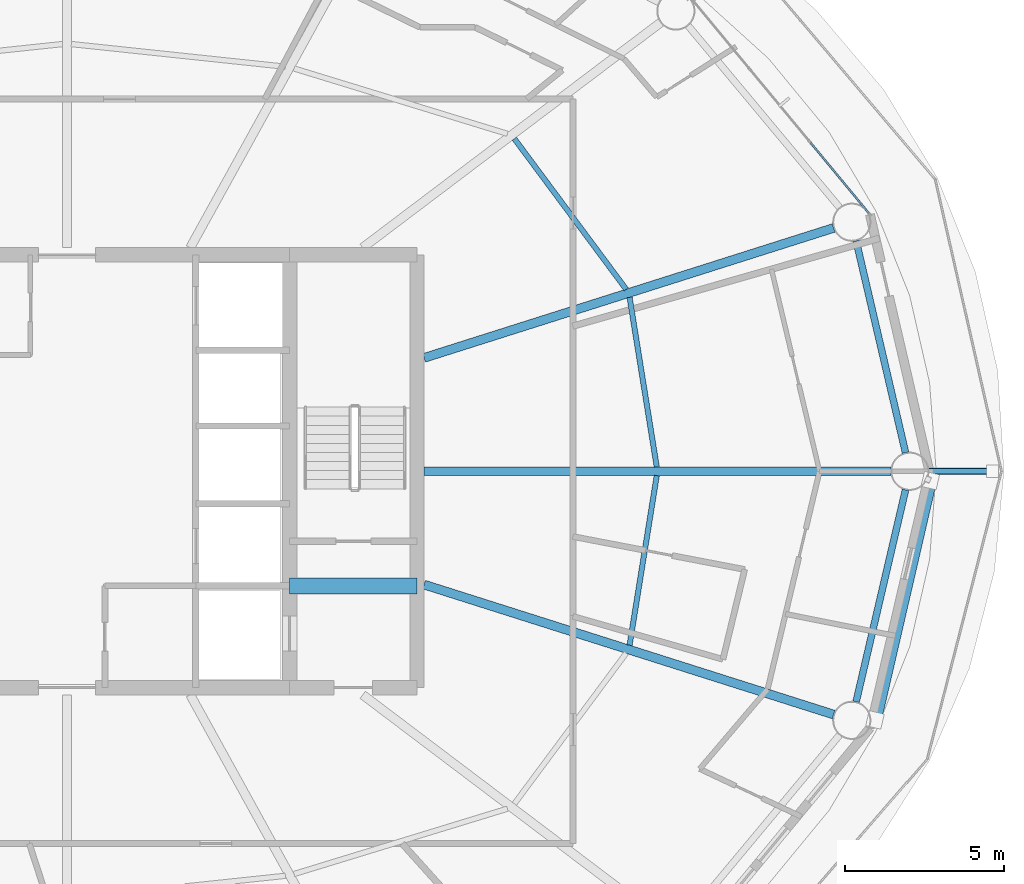
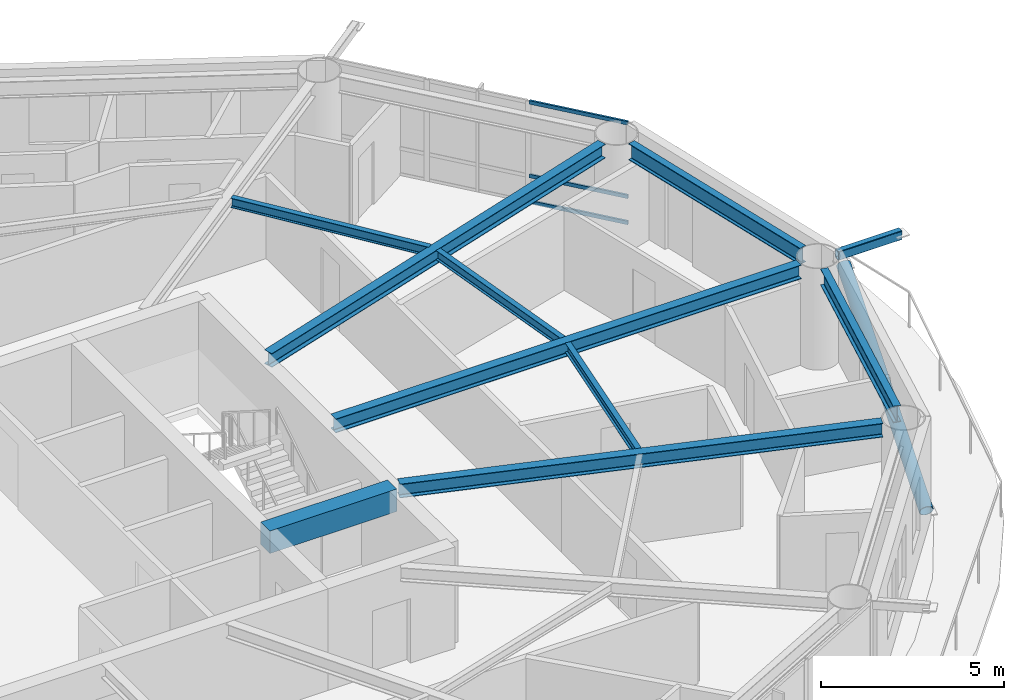
# One storey, part 8 of 28: 9 beams, 5 members, 1 element without a shape of its own.
"""IFC4 building model written with IfcOpenShell, lengths in metres."""

from ifc_helpers import new_model, si_unit, direction, frame, origin, origin_2d, place, context, subcontext, project, spatial, rectangle, hollow_rectangle, hollow_circle, i_section, extrude, material, layer, layer_set, material_profile, profile_set, type_object, element, aggregate, save


model = new_model("IFC4")

# Units and contexts
model_context = context("Model", 3, precision=1e-05, world=origin(), true_north=direction((0.0, 1.0)))
body_context = subcontext(model_context, "Body", "Model", "MODEL_VIEW")
ifc_project = project(units=[si_unit("LENGTHUNIT", "METRE"), si_unit("AREAUNIT", "SQUARE_METRE"), si_unit("VOLUMEUNIT", "CUBIC_METRE"), si_unit("PLANEANGLEUNIT", "RADIAN"), si_unit("MASSUNIT", "GRAM", prefix="KILO")], contexts=[model_context])

# Site, building, storey
site_placement = place(None, origin())
site = spatial("IfcSite", under=ifc_project, at=site_placement, CompositionType="ELEMENT")
building_placement = place(site_placement, origin())
building = spatial("IfcBuilding", under=site, at=building_placement, Name="Sarneth Arch Tower", CompositionType="ELEMENT")
storey_placement = place(building_placement, frame((0.0, 0.0, 183.0)))
storey = spatial("IfcBuildingStorey", under=building, at=storey_placement, Name="L46", CompositionType="ELEMENT", Elevation=183.0)

# Beams
ifc_material_1 = material(Name="Steel S355", Category="steel")
ifc_material_profile_1 = material_profile(ifc_material_1, i_section(OverallWidth=0.1669921875, OverallDepth=0.31689453125, WebThickness=0.007568359375, FlangeThickness=0.01318359375, FilletRadius=0.012939453125, at=origin_2d()), Name="W310x52")
ifc_profile_set_1 = profile_set([ifc_material_profile_1], Name="Steel S355")
beam_type_1 = type_object("IfcBeamType", Name="BM-JOIST-310B", PredefinedType="JOIST", material=ifc_profile_set_1)
beam_1_placement = place(storey_placement, frame((66.533935546875, 42.13818359375, 3.221435546875), z_axis=(-0.158348792374, 0.987383238643, 0.0), x_axis=(-0.987383238643, -0.158348792374, 0.0)))
element("IfcBeam", 1, at=beam_1_placement, inside=storey, type_object=beam_type_1, Name="L46 Secondary floor joist 01", PredefinedType="JOIST", context=body_context, shape_type="SweptSolid", body=[
    extrude(i_section(OverallWidth=0.1669921875, OverallDepth=0.31689453125, WebThickness=0.007568359375, FlangeThickness=0.01318359375, FilletRadius=0.012939453125, at=origin_2d()), origin(), (0.0, 0.0, 1.0), 5.394775390625),
])
beam_2_placement = place(storey_placement, frame((65.57421875, 47.715576171875, 3.221435546875), z_axis=(-0.596190586674, 0.802842938788, 0.0), x_axis=(-0.802842938788, -0.596190586674, 0.0)))
element("IfcBeam", 2, at=beam_2_placement, inside=storey, type_object=beam_type_1, Name="L46 Secondary floor joist 02", PredefinedType="JOIST", context=body_context, shape_type="SweptSolid", body=[
    extrude(i_section(OverallWidth=0.1669921875, OverallDepth=0.31689453125, WebThickness=0.007568359375, FlangeThickness=0.01318359375, FilletRadius=0.012939453125, at=origin_2d()), origin(), (0.0, 0.0, 1.0), 5.896484375),
])
beam_3_placement = place(storey_placement, frame((65.6796875, 36.53515625, 3.221435546875), z_axis=(0.158348792374, 0.987383238643, 0.0), x_axis=(-0.987383238643, 0.158348792374, 0.0)))
element("IfcBeam", 3, at=beam_3_placement, inside=storey, type_object=beam_type_1, Name="L46 Secondary floor joist 16", PredefinedType="JOIST", context=body_context, shape_type="SweptSolid", body=[
    extrude(i_section(OverallWidth=0.1669921875, OverallDepth=0.31689453125, WebThickness=0.007568359375, FlangeThickness=0.01318359375, FilletRadius=0.012939453125, at=origin_2d()), origin(), (0.0, 0.0, 1.0), 5.394775390625),
])
ifc_material_2 = material(Name="Concrete C50/60", Category="concrete")
ifc_material_profile_2 = material_profile(ifc_material_2, rectangle(XDim=0.5, YDim=0.75, at=origin_2d()), Name="RC-500x750")
ifc_profile_set_2 = profile_set([ifc_material_profile_2], Name="Concrete C50/60")
beam_type_2 = type_object("IfcBeamType", Name="BM-LINTEL-RC", PredefinedType="LINTEL", material=ifc_profile_set_2)
beam_4_placement = place(storey_placement, frame((55.0, 38.39990234375, 3.0048828125), z_axis=(1.0, 0.0, 0.0), x_axis=(0.0, 1.0, 0.0)))
element("IfcBeam", 4, at=beam_4_placement, inside=storey, type_object=beam_type_2, Name="L46 Core coupling lintel E", PredefinedType="LINTEL", context=body_context, shape_type="SweptSolid", body=[
    extrude(rectangle(XDim=0.5, YDim=0.75, at=origin_2d()), origin(), (0.0, 0.0, 1.0), 4.0),
])
ifc_material_3 = material(Name="Steel S355", Category="steel")
ifc_material_profile_3 = material_profile(ifc_material_3, i_section(OverallWidth=0.280029296875, OverallDepth=0.462890625, WebThickness=0.0107421875, FlangeThickness=0.017333984375, FilletRadius=0.01806640625, at=origin_2d()), Name="W460x113")
ifc_profile_set_3 = profile_set([ifc_material_profile_3], Name="Steel S355")
beam_type_3 = type_object("IfcBeamType", Name="BM-RAD-460A", PredefinedType="BEAM", material=ifc_profile_set_3)
beam_5_placement = place(storey_placement, frame((59.22509765625, 42.0, 3.1484375), z_axis=(1.0, 0.0, 0.0), x_axis=(0.0, 1.0, 0.0)))
element("IfcBeam", 5, at=beam_5_placement, inside=storey, type_object=beam_type_3, Name="L46 Radial floor girder 01", PredefinedType="BEAM", context=body_context, shape_type="SweptSolid", body=[
    extrude(i_section(OverallWidth=0.280029296875, OverallDepth=0.462890625, WebThickness=0.0107421875, FlangeThickness=0.017333984375, FilletRadius=0.01806640625, at=origin_2d()), origin(), (0.0, 0.0, 1.0), 14.661865234375),
])
for number, where, z_axis, x_axis, name in (
    (6, (59.22509765625, 45.56201171875, 3.1484375), (0.95316541071, 0.30244949963, 0.0), (-0.30244949963, 0.95316541071, 0.0), "L46 Radial floor girder 02"),
    (7, (59.22509765625, 38.43798828125, 3.1484375), (0.95316541071, -0.30244949963, 0.0), (0.30244949963, 0.95316541071, 0.0), "L46 Radial floor girder 16"),
):
    element("IfcBeam", number, at=place(storey_placement, frame(where, z_axis=z_axis, x_axis=x_axis)), inside=storey, type_object=beam_type_3, Name=name, PredefinedType="BEAM", context=body_context, shape_type="SweptSolid", body=[
        extrude(i_section(OverallWidth=0.280029296875, OverallDepth=0.462890625, WebThickness=0.0107421875, FlangeThickness=0.017333984375, FilletRadius=0.01806640625, at=origin_2d()), origin(), (0.0, 0.0, 1.0), 13.497314453125),
    ])
ifc_material_4 = material(Name="Steel S355", Category="steel")
ifc_material_profile_4 = material_profile(ifc_material_4, i_section(OverallWidth=0.214111328125, OverallDepth=0.549072265625, WebThickness=0.0146484375, FlangeThickness=0.023681640625, FilletRadius=0.01806640625, at=origin_2d()), Name="W530x138")
ifc_profile_set_4 = profile_set([ifc_material_profile_4], Name="Steel S355")
beam_type_4 = type_object("IfcBeamType", Name="BM-RAD-530A", PredefinedType="BEAM", material=ifc_profile_set_4)
for number, where, z_axis, x_axis, name in (
    (8, (74.350830078125, 42.584228515625, 3.10546875), (-0.227109937572, 0.973869126863, 0.0), (-0.973869126863, -0.227109937572, 0.0), "L46 Perimeter spandrel beam 01"),
    (9, (72.79833984375, 34.758544921875, 3.10546875), (0.227109937572, 0.973869126863, 0.0), (-0.973869126863, 0.227109937572, 0.0), "L46 Perimeter spandrel beam 16"),
):
    element("IfcBeam", number, at=place(storey_placement, frame(where, z_axis=z_axis, x_axis=x_axis)), inside=storey, type_object=beam_type_4, Name=name, PredefinedType="BEAM", context=body_context, shape_type="SweptSolid", body=[
        extrude(i_section(OverallWidth=0.214111328125, OverallDepth=0.549072265625, WebThickness=0.0146484375, FlangeThickness=0.023681640625, FilletRadius=0.01806640625, at=origin_2d()), origin(), (0.0, 0.0, 1.0), 6.8359375),
    ])

# Curtain wall, members
ifc_material_5 = material(Name="Anodised aluminium Type AA25 and solar-control low-e laminated IGU", Category="aluminium")
ifc_layer = layer(ifc_material_5, 0.169921875)
ifc_layer_set = layer_set([ifc_layer], Name="Anodised aluminium Type AA25 and solar-control low-e laminated IGU")
curtain_wall_type = type_object("IfcCurtainWallType", Name="CW-RES-MID", PredefinedType="NOTDEFINED", material=ifc_layer_set)
curtain_wall_placement = place(storey_placement, origin())
curtain_wall = element("IfcCurtainWall", 10, at=curtain_wall_placement, inside=storey, type_object=curtain_wall_type, Name="L46 Unitised curtain wall facet 02", PredefinedType="NOTDEFINED")
ifc_material_6 = material(Name="Anodised Aluminium 6063-T6", Category="aluminium")
ifc_material_profile_5 = material_profile(ifc_material_6, hollow_rectangle(XDim=0.06005859375, YDim=0.1201171875, WallThickness=0.00390625, at=origin_2d()), Name="AL-TRAN-120x60x4")
ifc_profile_set_5 = profile_set([ifc_material_profile_5], Name="Anodised Aluminium 6063-T6")
member_type_1 = type_object("IfcMemberType", Name="CW-TRANSOM", PredefinedType="USERDEFINED", material=ifc_profile_set_5)
member_1_placement = place(storey_placement, frame((73.194091796875, 50.11328125, 0.030029296875), z_axis=(-0.637358651504, 0.770567290607, 0.0), x_axis=(-0.770567290607, -0.637358651504, 0.0)))
member_1 = element("IfcMember", 11, at=member_1_placement, type_object=member_type_1, Name="CW-SYS-5 transom 1.1", ObjectType="TRANSOM", PredefinedType="USERDEFINED", context=body_context, shape_type="SweptSolid", body=[
    extrude(hollow_rectangle(XDim=0.06005859375, YDim=0.1201171875, WallThickness=0.00390625, at=origin_2d()), origin(), (0.0, 0.0, 1.0), 2.8681640625),
])
member_2_placement = place(storey_placement, frame((73.194091796875, 50.11328125, 0.89990234375), z_axis=(-0.637358651504, 0.770567290607, 0.0), x_axis=(-0.770567290607, -0.637358651504, 0.0)))
member_2 = element("IfcMember", 12, at=member_2_placement, type_object=member_type_1, Name="CW-SYS-5 transom 1.2", ObjectType="TRANSOM", PredefinedType="USERDEFINED", context=body_context, shape_type="SweptSolid", body=[
    extrude(hollow_rectangle(XDim=0.06005859375, YDim=0.1201171875, WallThickness=0.00390625, at=origin_2d()), origin(), (0.0, 0.0, 1.0), 2.8681640625),
])
member_3_placement = place(storey_placement, frame((73.194091796875, 50.11328125, 3.35009765625), z_axis=(-0.637358651504, 0.770567290607, 0.0), x_axis=(-0.770567290607, -0.637358651504, 0.0)))
member_3 = element("IfcMember", 13, at=member_3_placement, type_object=member_type_1, Name="CW-SYS-5 transom 1.3", ObjectType="TRANSOM", PredefinedType="USERDEFINED", context=body_context, shape_type="SweptSolid", body=[
    extrude(hollow_rectangle(XDim=0.06005859375, YDim=0.1201171875, WallThickness=0.00390625, at=origin_2d()), origin(), (0.0, 0.0, 1.0), 2.8681640625),
])
aggregate(curtain_wall, [member_1, member_2, member_3])

# Members
ifc_material_7 = material(Name="Steel S355", Category="steel")
ifc_material_profile_6 = material_profile(ifc_material_7, hollow_rectangle(XDim=0.199951171875, YDim=0.300048828125, WallThickness=0.012451171875, InnerFilletRadius=0.018798828125, OuterFilletRadius=0.03125, at=origin_2d()), Name="RHS300x200x12.5")
ifc_profile_set_6 = profile_set([ifc_material_profile_6], Name="Steel S355")
member_type_2 = type_object("IfcMemberType", Name="MEM-CANT-STRUT", PredefinedType="STRUT", material=ifc_profile_set_6)
member_4_placement = place(storey_placement, frame((75.0869140625, 42.0, 3.219970703125), z_axis=(1.0, 0.0, 0.0), x_axis=(0.0, 1.0, 0.0)))
element("IfcMember", 14, at=member_4_placement, inside=storey, type_object=member_type_2, Name="L46 Balcony cantilever bracket 01", PredefinedType="STRUT", context=body_context, shape_type="SweptSolid", body=[
    extrude(hollow_rectangle(XDim=0.199951171875, YDim=0.300048828125, WallThickness=0.012451171875, InnerFilletRadius=0.018798828125, OuterFilletRadius=0.03125, at=origin_2d()), origin(), (0.0, 0.0, 1.0), 1.99755859375),
])
ifc_material_8 = material(Name="Steel S355", Category="steel")
ifc_material_profile_7 = material_profile(ifc_material_8, hollow_circle(Radius=0.202880859375, WallThickness=0.01611328125, at=origin_2d()), Name="CHS406x16")
ifc_profile_set_7 = profile_set([ifc_material_profile_7], Name="Steel S355")
member_type_3 = type_object("IfcMemberType", Name="MEM-DIAG-BR2", PredefinedType="BRACE", material=ifc_profile_set_7)
member_5_placement = place(storey_placement, frame((73.390380859375, 34.18701171875, 0.02001953125), z_axis=(0.209646277215, 0.90691666474, 0.365445757488), x_axis=(-0.974306903917, 0.225224459107, 0.0)))
element("IfcMember", 15, at=member_5_placement, inside=storey, type_object=member_type_3, Name="L46 Perimeter frame diagonal 16", PredefinedType="BRACE", context=body_context, shape_type="SweptSolid", body=[
    extrude(hollow_circle(Radius=0.202880859375, WallThickness=0.01611328125, at=origin_2d()), origin(), (0.0, 0.0, 1.0), 8.292724609375),
])

save(model, "model.ifc")
